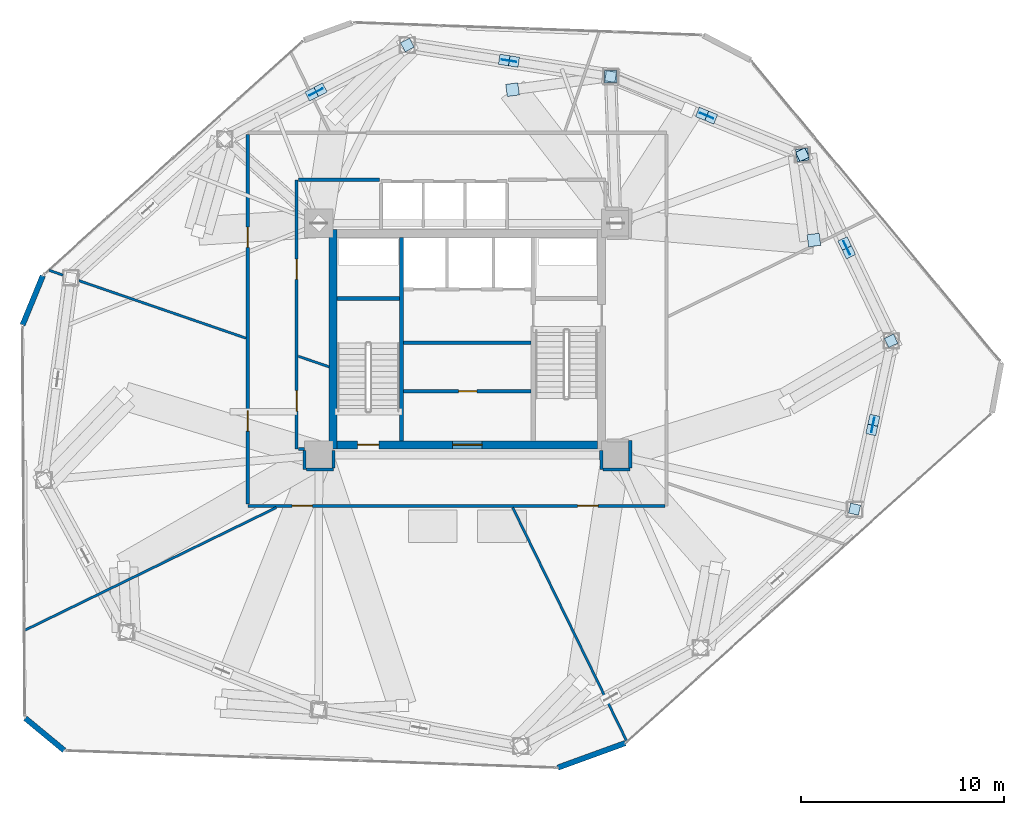
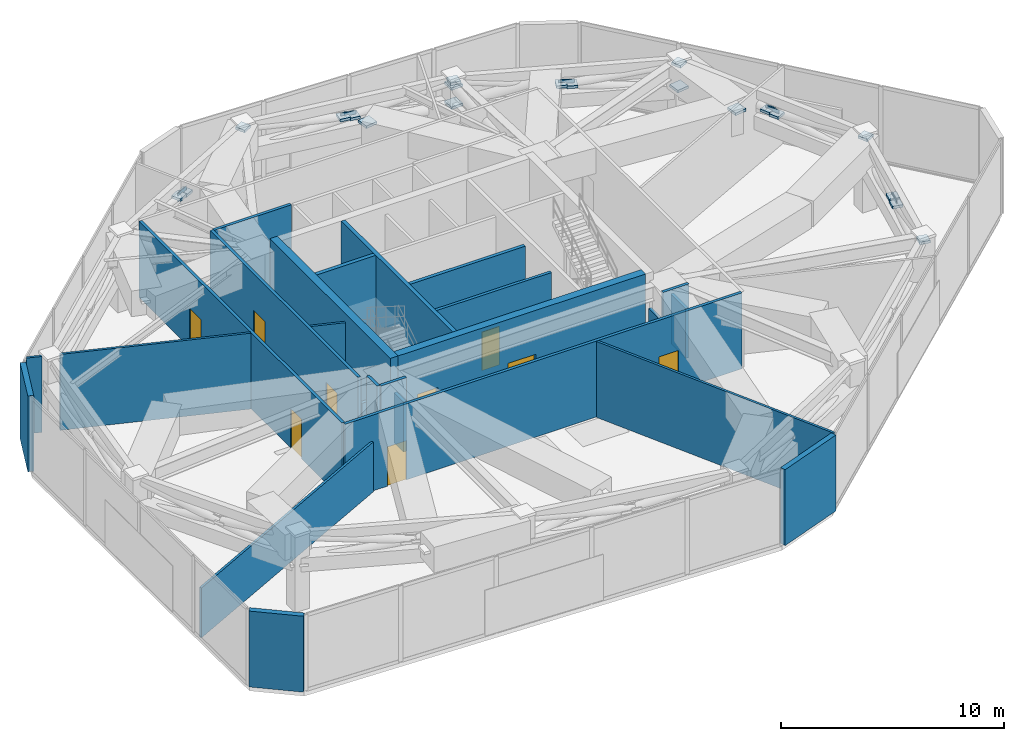
# One storey, part 21 of 25: 25 plates, 25 walls, 9 doors, 9 openings.
"""IFC4 building model written with IfcOpenShell, lengths in metres."""

from ifc_helpers import new_model, si_unit, direction, frame, frame_2d, origin, origin_2d, place, context, subcontext, project, spatial, rectangle, extrude, source, transform, mapped, material, layer, layer_set, type_object, type_shapes, element, fill, save


model = new_model("IFC4")

# Units and contexts
model_context = context("Model", 3, precision=1e-05, world=origin(), true_north=direction((0.0, 1.0)))
body_context = subcontext(model_context, "Body", "Model", "MODEL_VIEW")
ifc_project = project(units=[si_unit("LENGTHUNIT", "METRE"), si_unit("AREAUNIT", "SQUARE_METRE"), si_unit("VOLUMEUNIT", "CUBIC_METRE"), si_unit("PLANEANGLEUNIT", "RADIAN"), si_unit("MASSUNIT", "GRAM", prefix="KILO")], contexts=[model_context])

# Site, building, storey
site_placement = place(None, origin())
site = spatial("IfcSite", under=ifc_project, at=site_placement, CompositionType="ELEMENT")
building_placement = place(site_placement, origin())
building = spatial("IfcBuilding", under=site, at=building_placement, Name="Talar Marvaseh", CompositionType="ELEMENT")
storey_placement = place(building_placement, frame((0.0, 0.0, 84.800048828125)))
storey = spatial("IfcBuildingStorey", under=building, at=storey_placement, Name="L21", CompositionType="ELEMENT", Elevation=84.800048828125)

# Plates
ifc_material_1 = material(Name="Steel S460", Category="steel")
ifc_layer_1 = layer(ifc_material_1, 0.02490234375)
ifc_layer_set_1 = layer_set([ifc_layer_1], Name="Steel S460")
plate_type_1 = type_object("IfcPlateType", Name="Crown Box End Closure Cap Plate 25", PredefinedType="USERDEFINED", material=ifc_layer_set_1)
shared_shape_1 = source(origin(), body_context, "Body", "SweptSolid", [
    extrude(rectangle(XDim=0.5, YDim=0.5, at=origin_2d()), origin(), (0.0, 0.0, 1.0), 0.139892578125),
])
type_shapes(plate_type_1, [shared_shape_1])
for number, where, z_axis, x_axis, name in (
    (1, (46.841064453125, 31.118896484375, 3.77978515625), (0.0, 0.0, 1.0), (0.430511096808, -0.90258528435, 0.0), "L21 Hollow Member End Cap Plate"),
    (2, (44.761474609375, 35.479248046875, 3.0732421875), (0.0, 0.0, 1.0), (-0.430511096808, 0.90258528435, 0.0), "L21 Hollow Member End Cap Plate"),
    (3, (44.556640625, 35.90869140625, 3.13671875), (0.0, 0.0, 1.0), (-0.430511096808, 0.90258528435, 0.0), "L21 Hollow Member End Cap Plate"),
    (4, (42.47705078125, 40.26904296875, 3.77978515625), (0.0, 0.0, 1.0), (-0.430511096808, 0.90258528435, 0.0), "L21 Hollow Member End Cap Plate"),
    (5, (45.0439453125, 22.840087890625, 3.77978515625), (0.0, 0.0, 1.0), (-0.211324796455, -0.977415894286, 0.0), "L21 Hollow Member End Cap Plate"),
    (6, (45.89208984375, 26.747802734375, 3.0673828125), (0.0, 0.0, 1.0), (0.211324796455, 0.977415894286, 0.0), "L21 Hollow Member End Cap Plate"),
    (7, (45.992919921875, 27.211181640625, 3.142578125), (0.0, 0.0, 1.0), (0.211324796455, 0.977415894286, 0.0), "L21 Hollow Member End Cap Plate"),
    (8, (23.047119140625, 45.6669921875, 3.77978515625), (0.0, 0.0, 1.0), (0.888617232655, 0.458649554484, 0.0), "L21 Hollow Member End Cap Plate"),
    (9, (18.76953125, 43.4638671875, 3.0732421875), (0.0, 0.0, 1.0), (-0.888617232655, -0.458649554484, 0.0), "L21 Hollow Member End Cap Plate"),
    (10, (18.346435546875, 43.24609375, 3.13671875), (0.0, 0.0, 1.0), (-0.888617232655, -0.458649554484, 0.0), "L21 Hollow Member End Cap Plate"),
    (11, (33.0458984375, 44.117919921875, 3.77978515625), (0.0, 0.0, 1.0), (0.988228381447, -0.152985836284, 0.0), "L21 Hollow Member End Cap Plate"),
    (12, (28.281494140625, 44.856201171875, 3.0732421875), (0.0, 0.0, 1.0), (-0.988228381447, 0.152985836284, 0.0), "L21 Hollow Member End Cap Plate"),
    (13, (27.811279296875, 44.928955078125, 3.13671875), (0.0, 0.0, 1.0), (-0.988228381447, 0.152985836284, 0.0), "L21 Hollow Member End Cap Plate"),
    (14, (37.981689453125, 42.103515625, 3.07373046875), (0.0, 0.0, 1.0), (-0.92587058481, 0.377840786818, 0.0), "L21 Hollow Member End Cap Plate"),
    (15, (37.541259765625, 42.283447265625, 3.13671875), (0.0, 0.0, 1.0), (-0.92587058481, 0.377840786818, 0.0), "L21 Hollow Member End Cap Plate"),
):
    element("IfcPlate", number, at=place(storey_placement, frame(where, z_axis=z_axis, x_axis=x_axis)), inside=storey, type_object=plate_type_1, Name=name, ObjectType="CAP_PLATE", PredefinedType="USERDEFINED", context=body_context, shape_type="MappedRepresentation", body=[
        mapped(shared_shape_1, transform((0.0, 0.0, 0.0), x_axis=(1.0, 0.0, 0.0), y_axis=(0.0, 1.0, 0.0), z_axis=(0.0, 0.0, 1.0), scale=1.0)),
    ])
ifc_layer_2 = layer(ifc_material_1, 0.030029296875)
ifc_layer_set_2 = layer_set([ifc_layer_2], Name="Steel S460")
plate_type_2 = type_object("IfcPlateType", Name="Heavy Box End Closure Cap Plate 30", PredefinedType="USERDEFINED", material=ifc_layer_set_2)
shared_shape_2 = source(origin(), body_context, "Body", "SweptSolid", [
    extrude(rectangle(XDim=0.60009765625, YDim=0.60009765625, at=origin_2d()), origin(), (0.0, 0.0, 1.0), 0.139892578125),
])
type_shapes(plate_type_2, [shared_shape_2])
for number, where, z_axis, x_axis, name in (
    (16, (33.0458984375, 44.117919921875, 2.52978515625), (0.0, 0.0, 1.0), (-0.034899496703, 0.999390827019, 0.0), "L21 Hollow Member End Cap Plate"),
    (17, (33.0458984375, 44.117919921875, 3.580078125), (0.0, 0.0, 1.0), (-0.034899496703, 0.999390827019, 0.0), "L21 Hollow Member End Cap Plate"),
    (18, (42.47705078125, 40.26904296875, 2.47998046875), (0.0, 0.0, 1.0), (0.133986185418, -0.990983199715, 0.0), "L21 Hollow Member End Cap Plate"),
    (19, (43.0439453125, 36.075927734375, 3.580078125), (0.0, 0.0, 1.0), (0.133986185418, -0.990983199715, 0.0), "L21 Hollow Member End Cap Plate"),
    (20, (28.221923828125, 43.471923828125, 3.580078125), (0.0, 0.0, 1.0), (-0.991215540252, -0.132256390257, 0.0), "L21 Hollow Member End Cap Plate"),
):
    element("IfcPlate", number, at=place(storey_placement, frame(where, z_axis=z_axis, x_axis=x_axis)), inside=storey, type_object=plate_type_2, Name=name, ObjectType="CAP_PLATE", PredefinedType="USERDEFINED", context=body_context, shape_type="MappedRepresentation", body=[
        mapped(shared_shape_2, transform((0.0, 0.0, 0.0), x_axis=(1.0, 0.0, 0.0), y_axis=(0.0, 1.0, 0.0), z_axis=(0.0, 0.0, 1.0), scale=1.0)),
    ])
ifc_layer_3 = layer(ifc_material_1, 0.030029296875)
ifc_layer_set_3 = layer_set([ifc_layer_3], Name="Steel S460")
plate_type_3 = type_object("IfcPlateType", Name="Belt Truss Node Gusset Plate 30", PredefinedType="USERDEFINED", material=ifc_layer_set_3)
shared_shape_3 = source(origin(), body_context, "Body", "SweptSolid", [
    extrude(rectangle(XDim=0.719970703125, YDim=0.030029296875, at=origin_2d()), origin(), (0.0, 0.0, 1.0), 0.47998046875),
])
type_shapes(plate_type_3, [shared_shape_3])
for number, where, z_axis, x_axis, name in (
    (21, (44.658935546875, 35.694091796875, 2.93505859375), (0.0, 0.0, 1.0), (0.430511096808, -0.90258528435, 0.0), "L21 Belt Truss X-Crossing Gusset Plate 1"),
    (22, (45.9423828125, 26.9794921875, 2.93505859375), (0.0, 0.0, 1.0), (-0.211324796455, -0.977415894286, 0.0), "L21 Belt Truss X-Crossing Gusset Plate 2"),
    (23, (18.55810546875, 43.35498046875, 2.93505859375), (0.0, 0.0, 1.0), (0.888617232655, 0.458649554484, 0.0), "L21 Belt Truss X-Crossing Gusset Plate 10"),
    (24, (28.04638671875, 44.892578125, 2.93505859375), (0.0, 0.0, 1.0), (0.988228381447, -0.152985836284, 0.0), "L21 Belt Truss X-Crossing Gusset Plate 11"),
    (25, (37.761474609375, 42.193603515625, 2.93505859375), (0.0, 0.0, 1.0), (0.92587058481, -0.377840786818, 0.0), "L21 Belt Truss X-Crossing Gusset Plate 12"),
):
    element("IfcPlate", number, at=place(storey_placement, frame(where, z_axis=z_axis, x_axis=x_axis)), inside=storey, type_object=plate_type_3, Name=name, ObjectType="GUSSET_PLATE", PredefinedType="USERDEFINED", context=body_context, shape_type="MappedRepresentation", body=[
        mapped(shared_shape_3, transform((0.0, 0.0, 0.0), x_axis=(1.0, 0.0, 0.0), y_axis=(0.0, 1.0, 0.0), z_axis=(0.0, 0.0, 1.0), scale=1.0)),
    ])

# Walls
ifc_material_2 = material(Name="Precast concrete C45/55", Category="concrete")
ifc_layer_4 = layer(ifc_material_2, 0.27001953125)
ifc_layer_set_4 = layer_set([ifc_layer_4], Name="Precast concrete C45/55")
wall_type_1 = type_object("IfcWallType", Name="Chamfered Hexagonal Corner Pier Wall Z1 270", PredefinedType="SOLIDWALL", material=ifc_layer_set_4)
wall_1_placement = place(storey_placement, frame((6.17138671875, 10.9775390625, 0.0), z_axis=(0.0, 0.0, 1.0), x_axis=(-0.770777069691, 0.637104943348, 0.0)))
element("IfcWall", 26, at=wall_1_placement, inside=storey, type_object=wall_type_1, Name="L21 Chamfered Corner Limestone Pier 1", PredefinedType="SOLIDWALL", context=body_context, shape_type="SweptSolid", body=[
    extrude(rectangle(XDim=2.48388671875, YDim=0.27001953125, at=frame_2d((1.241943359375, 0.0))), origin(), (0.0, 0.0, 1.0), 4.14990234375),
])
wall_2_placement = place(storey_placement, frame((4.123046875, 31.89501953125, 0.0), z_axis=(0.0, 0.0, 1.0), x_axis=(0.380646822676, 0.924720496359, 0.0)))
element("IfcWall", 27, at=wall_2_placement, inside=storey, type_object=wall_type_1, Name="L21 Chamfered Corner Limestone Pier 2", PredefinedType="SOLIDWALL", context=body_context, shape_type="SweptSolid", body=[
    extrude(rectangle(XDim=2.623291015625, YDim=0.27001953125, at=frame_2d((1.3115234375, 0.0))), origin(), (0.0, 0.0, 1.0), 4.14990234375),
])
wall_3_placement = place(storey_placement, frame((33.764892578125, 11.3349609375, 0.0), z_axis=(0.0, 0.0, 1.0), x_axis=(-0.939676440204, -0.342064595839, 0.0)))
element("IfcWall", 28, at=wall_3_placement, inside=storey, type_object=wall_type_1, Name="L21 Chamfered Corner Limestone Pier 6", PredefinedType="SOLIDWALL", context=body_context, shape_type="SweptSolid", body=[
    extrude(rectangle(XDim=3.535888671875, YDim=0.27001953125, at=frame_2d((1.76806640625, 0.0))), origin(), (0.0, 0.0, 1.0), 4.14990234375),
])

# Wall, opening, door
ifc_material_3 = material(Name="Gypsum Board Partition Assembly")
ifc_layer_5 = layer(ifc_material_3, 0.155029296875)
ifc_layer_set_5 = layer_set([ifc_layer_5], Name="Gypsum Board Partition Assembly")
wall_type_2 = type_object("IfcWallType", Name="Corridor Fire-Rated Acoustic Partition 155", PredefinedType="PARTITIONING", material=ifc_layer_set_5)
wall_4_placement = place(storey_placement, frame((22.865966796875, 28.639892578125, 0.0), z_axis=(0.0, 0.0, 1.0), x_axis=(1.0, 0.0, 0.0)))
wall_4 = element("IfcWall", 29, at=wall_4_placement, inside=storey, type_object=wall_type_2, Name="L21 Core BOH Partition", PredefinedType="PARTITIONING", context=body_context, shape_type="SweptSolid", body=[
    extrude(rectangle(XDim=6.26806640625, YDim=0.155029296875, at=frame_2d((3.134033203125, 0.0))), origin(), (0.0, 0.0, 1.0), 4.14990234375),
])
opening_1_placement = place(wall_4_placement, frame((2.699951171875, 0.0, 0.0)))
opening_1 = element("IfcOpeningElement", 30, at=opening_1_placement, cuts=wall_4, Name="Opening DR-BOH090", PredefinedType="OPENING", context=body_context, shape_type="SweptSolid", body=[
    extrude(rectangle(XDim=0.89990234375, YDim=2.10009765625, at=frame_2d((0.449951171875, 1.050048828125))), frame((0.0, 0.08740234375, 0.0), z_axis=(0.0, -1.0, 0.0), x_axis=(1.0, 0.0, 0.0)), (0.0, 0.0, 1.0), 0.175048828125),
])
ifc_material_4 = material(Name="Fire-Rated Steel Door Leaf", Category="steel")
door_type_1 = type_object("IfcDoorType", Name="Core Back-of-House Service Door 900x2100", OperationType="NOTDEFINED", PredefinedType="DOOR", material=ifc_material_4)
shared_shape_4 = source(origin(), body_context, "Body", "SweptSolid", [
    extrude(rectangle(XDim=0.89990234375, YDim=2.10009765625, at=frame_2d((0.449951171875, 1.050048828125))), frame((0.0, 0.02490234375, 0.0), z_axis=(0.0, -1.0, 0.0), x_axis=(1.0, 0.0, 0.0)), (0.0, 0.0, 1.0), 0.050048828125),
])
type_shapes(door_type_1, [shared_shape_4])
door_1_placement = place(opening_1_placement, origin())
door_1 = element("IfcDoor", 31, at=door_1_placement, inside=storey, type_object=door_type_1, Name="L21 Store Core Central Archive Door", OperationType="SINGLE_SWING_LEFT", OverallHeight=2.10009765625, OverallWidth=0.89990234375, PredefinedType="DOOR", context=body_context, shape_type="MappedRepresentation", body=[
    mapped(shared_shape_4, transform((0.0, 0.0, 0.0), x_axis=(1.0, 0.0, 0.0), y_axis=(0.0, 1.0, 0.0), z_axis=(0.0, 0.0, 1.0), scale=1.0)),
])
fill(opening_1, door_1)

# Wall, openings, doors
wall_5_placement = place(storey_placement, frame((35.716552734375, 23.0, 0.0), z_axis=(0.0, 0.0, 1.0), x_axis=(-1.0, 0.0, 0.0)))
wall_5 = element("IfcWall", 32, at=wall_5_placement, inside=storey, type_object=wall_type_2, Name="L21 Interior Partition Wall", PredefinedType="PARTITIONING", context=body_context, shape_type="SweptSolid", body=[
    extrude(rectangle(XDim=20.5166015625, YDim=0.155029296875, at=frame_2d((10.25830078125, 0.0))), origin(), (0.0, 0.0, 1.0), 4.14990234375),
])
opening_2_placement = place(wall_5_placement, frame((17.334716796875, 0.0, 0.0)))
opening_2 = element("IfcOpeningElement", 33, at=opening_2_placement, cuts=wall_5, Name="Opening DR-RM100", PredefinedType="OPENING", context=body_context, shape_type="SweptSolid", body=[
    extrude(rectangle(XDim=1.0, YDim=2.14990234375, at=frame_2d((0.5, 1.074951171875))), frame((0.0, 0.08740234375, 0.0), z_axis=(0.0, -1.0, 0.0), x_axis=(1.0, 0.0, 0.0)), (0.0, 0.0, 1.0), 0.175048828125),
])
opening_3_placement = place(wall_5_placement, frame((3.2890625, 0.0, 0.0)))
opening_3 = element("IfcOpeningElement", 34, at=opening_3_placement, cuts=wall_5, Name="Opening DR-RM100", PredefinedType="OPENING", context=body_context, shape_type="SweptSolid", body=[
    extrude(rectangle(XDim=1.0, YDim=2.14990234375, at=frame_2d((0.5, 1.074951171875))), frame((0.0, 0.08740234375, 0.0), z_axis=(0.0, -1.0, 0.0), x_axis=(1.0, 0.0, 0.0)), (0.0, 0.0, 1.0), 0.175048828125),
])
ifc_material_5 = material(Name="Acoustic Engineered Oak Timber", Category="wood")
door_type_2 = type_object("IfcDoorType", Name="Corridor Fire-Rated Gallery Door 1000x2150", OperationType="NOTDEFINED", PredefinedType="DOOR", material=ifc_material_5)
shared_shape_5 = source(origin(), body_context, "Body", "SweptSolid", [
    extrude(rectangle(XDim=1.0, YDim=2.14990234375, at=frame_2d((0.5, 1.074951171875))), frame((0.0, 0.02490234375, 0.0), z_axis=(0.0, -1.0, 0.0), x_axis=(1.0, 0.0, 0.0)), (0.0, 0.0, 1.0), 0.050048828125),
])
type_shapes(door_type_2, [shared_shape_5])
door_2_placement = place(opening_2_placement, origin())
door_2 = element("IfcDoor", 35, at=door_2_placement, inside=storey, type_object=door_type_2, Name="L21 Area of Refuge South Door", OperationType="SINGLE_SWING_LEFT", OverallHeight=2.14990234375, OverallWidth=1.0, PredefinedType="DOOR", context=body_context, shape_type="MappedRepresentation", body=[
    mapped(shared_shape_5, transform((0.0, 0.0, 0.0), x_axis=(1.0, 0.0, 0.0), y_axis=(0.0, 1.0, 0.0), z_axis=(0.0, 0.0, 1.0), scale=1.0)),
])
fill(opening_2, door_2)
door_3_placement = place(opening_3_placement, origin())
door_3 = element("IfcDoor", 36, at=door_3_placement, inside=storey, type_object=door_type_2, Name="L21 Area of Refuge South-East Door", OperationType="SINGLE_SWING_RIGHT", OverallHeight=2.14990234375, OverallWidth=1.0, PredefinedType="DOOR", context=body_context, shape_type="MappedRepresentation", body=[
    mapped(shared_shape_5, transform((0.0, 0.0, 0.0), x_axis=(1.0, 0.0, 0.0), y_axis=(0.0, 1.0, 0.0), z_axis=(0.0, 0.0, 1.0), scale=1.0)),
])
fill(opening_3, door_3)

wall_6_placement = place(storey_placement, frame((15.199951171875, 23.08349609375, 0.0), z_axis=(0.0, 0.0, 1.0), x_axis=(0.0, 1.0, 0.0)))
wall_6 = element("IfcWall", 37, at=wall_6_placement, inside=storey, type_object=wall_type_2, Name="L21 Interior Partition Wall", PredefinedType="PARTITIONING", context=body_context, shape_type="SweptSolid", body=[
    extrude(rectangle(XDim=18.18310546875, YDim=0.155029296875, at=frame_2d((9.091552734375, 0.0))), origin(), (0.0, 0.0, 1.0), 4.14990234375),
])
opening_4_placement = place(wall_6_placement, frame((3.599853515625, 0.0, 0.0)))
opening_4 = element("IfcOpeningElement", 38, at=opening_4_placement, cuts=wall_6, Name="Opening DR-RM100", PredefinedType="OPENING", context=body_context, shape_type="SweptSolid", body=[
    extrude(rectangle(XDim=1.0, YDim=2.14990234375, at=frame_2d((0.5, 1.074951171875))), frame((0.0, 0.08740234375, 0.0), z_axis=(0.0, -1.0, 0.0), x_axis=(1.0, 0.0, 0.0)), (0.0, 0.0, 1.0), 0.175048828125),
])
opening_5_placement = place(wall_6_placement, frame((12.630859375, 0.0, 0.0)))
opening_5 = element("IfcOpeningElement", 39, at=opening_5_placement, cuts=wall_6, Name="Opening DR-RM100", PredefinedType="OPENING", context=body_context, shape_type="SweptSolid", body=[
    extrude(rectangle(XDim=1.0, YDim=2.14990234375, at=frame_2d((0.5, 1.074951171875))), frame((0.0, 0.08740234375, 0.0), z_axis=(0.0, -1.0, 0.0), x_axis=(1.0, 0.0, 0.0)), (0.0, 0.0, 1.0), 0.175048828125),
])
door_4_placement = place(opening_4_placement, origin())
door_4 = element("IfcDoor", 40, at=door_4_placement, inside=storey, type_object=door_type_2, Name="L21 Area of Refuge South-West Door", OperationType="SINGLE_SWING_RIGHT", OverallHeight=2.14990234375, OverallWidth=1.0, PredefinedType="DOOR", context=body_context, shape_type="MappedRepresentation", body=[
    mapped(shared_shape_5, transform((0.0, 0.0, 0.0), x_axis=(1.0, 0.0, 0.0), y_axis=(0.0, 1.0, 0.0), z_axis=(0.0, 0.0, 1.0), scale=1.0)),
])
fill(opening_4, door_4)
door_5_placement = place(opening_5_placement, origin())
door_5 = element("IfcDoor", 41, at=door_5_placement, inside=storey, type_object=door_type_2, Name="L21 Area of Refuge South-West 2 Door", OperationType="SINGLE_SWING_RIGHT", OverallHeight=2.14990234375, OverallWidth=1.0, PredefinedType="DOOR", context=body_context, shape_type="MappedRepresentation", body=[
    mapped(shared_shape_5, transform((0.0, 0.0, 0.0), x_axis=(1.0, 0.0, 0.0), y_axis=(0.0, 1.0, 0.0), z_axis=(0.0, 0.0, 1.0), scale=1.0)),
])
fill(opening_5, door_5)

wall_7_placement = place(storey_placement, frame((17.60009765625, 39.0400390625, 0.0), z_axis=(0.0, 0.0, 1.0), x_axis=(0.0, -1.0, 0.0)))
wall_7 = element("IfcWall", 42, at=wall_7_placement, inside=storey, type_object=wall_type_2, Name="L21 Interior Partition Wall", PredefinedType="PARTITIONING", context=body_context, shape_type="SweptSolid", body=[
    extrude(rectangle(XDim=13.239990234375, YDim=0.155029296875, at=frame_2d((6.6201171875, 0.0))), origin(), (0.0, 0.0, 1.0), 4.14990234375),
])
opening_6_placement = place(wall_7_placement, frame((3.89794921875, 0.0, 0.0)))
opening_6 = element("IfcOpeningElement", 43, at=opening_6_placement, cuts=wall_7, Name="Opening DR-RM100", PredefinedType="OPENING", context=body_context, shape_type="SweptSolid", body=[
    extrude(rectangle(XDim=1.0, YDim=2.14990234375, at=frame_2d((0.5, 1.074951171875))), frame((0.0, 0.08740234375, 0.0), z_axis=(0.0, -1.0, 0.0), x_axis=(1.0, 0.0, 0.0)), (0.0, 0.0, 1.0), 0.175048828125),
])
opening_7_placement = place(wall_7_placement, frame((10.373779296875, 0.0, 0.0)))
opening_7 = element("IfcOpeningElement", 44, at=opening_7_placement, cuts=wall_7, Name="Opening DR-RM100", PredefinedType="OPENING", context=body_context, shape_type="SweptSolid", body=[
    extrude(rectangle(XDim=1.0, YDim=2.14990234375, at=frame_2d((0.5, 1.074951171875))), frame((0.0, 0.08740234375, 0.0), z_axis=(0.0, -1.0, 0.0), x_axis=(1.0, 0.0, 0.0)), (0.0, 0.0, 1.0), 0.175048828125),
])
door_6_placement = place(opening_6_placement, origin())
door_6 = element("IfcDoor", 45, at=door_6_placement, inside=storey, type_object=door_type_2, Name="L21 Area of Refuge West Door", OperationType="SINGLE_SWING_LEFT", OverallHeight=2.14990234375, OverallWidth=1.0, PredefinedType="DOOR", context=body_context, shape_type="MappedRepresentation", body=[
    mapped(shared_shape_5, transform((0.0, 0.0, 0.0), x_axis=(1.0, 0.0, 0.0), y_axis=(0.0, 1.0, 0.0), z_axis=(0.0, 0.0, 1.0), scale=1.0)),
])
fill(opening_6, door_6)
door_7_placement = place(opening_7_placement, origin())
door_7 = element("IfcDoor", 46, at=door_7_placement, inside=storey, type_object=door_type_2, Name="L21 Area of Refuge South 3 Door", OperationType="SINGLE_SWING_LEFT", OverallHeight=2.14990234375, OverallWidth=1.0, PredefinedType="DOOR", context=body_context, shape_type="MappedRepresentation", body=[
    mapped(shared_shape_5, transform((0.0, 0.0, 0.0), x_axis=(1.0, 0.0, 0.0), y_axis=(0.0, 1.0, 0.0), z_axis=(0.0, 0.0, 1.0), scale=1.0)),
])
fill(opening_7, door_7)

# Walls
wall_8_placement = place(storey_placement, frame((21.68994140625, 39.0400390625, 0.0), z_axis=(0.0, 0.0, 1.0), x_axis=(-1.0, 0.0, 0.0)))
element("IfcWall", 47, at=wall_8_placement, inside=storey, type_object=wall_type_2, Name="L21 Interior Partition Wall", PredefinedType="PARTITIONING", context=body_context, shape_type="SweptSolid", body=[
    extrude(rectangle(XDim=4.00634765625, YDim=0.155029296875, at=frame_2d((2.003173828125, 0.0))), origin(), (0.0, 0.0, 1.0), 4.14990234375),
])
wall_9_placement = place(storey_placement, frame((17.68359375, 25.800048828125, 0.0), z_axis=(0.0, 0.0, 1.0), x_axis=(1.0, 0.0, 0.0)))
element("IfcWall", 48, at=wall_9_placement, inside=storey, type_object=wall_type_2, Name="L21 Interior Partition Wall", PredefinedType="PARTITIONING", context=body_context, shape_type="SweptSolid", body=[
    extrude(rectangle(XDim=0.301513671875, YDim=0.155029296875, at=frame_2d((0.15087890625, 0.0))), origin(), (0.0, 0.0, 1.0), 2.724853515625),
])
wall_10_placement = place(storey_placement, frame((17.986083984375, 25.716552734375, 0.0), z_axis=(0.0, 0.0, 1.0), x_axis=(0.014935440835, -0.999888460083, 0.0)))
element("IfcWall", 49, at=wall_10_placement, inside=storey, type_object=wall_type_2, Name="L21 Interior Partition Wall", PredefinedType="PARTITIONING", context=body_context, shape_type="SweptSolid", body=[
    extrude(rectangle(XDim=0.931640625, YDim=0.155029296875, at=frame_2d((0.4658203125, 0.0))), origin(), (0.0, 0.0, 1.0), 4.14990234375),
])
wall_11_placement = place(storey_placement, frame((18.08349609375, 24.78515625, 0.0), z_axis=(0.0, 0.0, 1.0), x_axis=(0.99999830172, 0.001842975123, 0.0)))
element("IfcWall", 50, at=wall_11_placement, inside=storey, type_object=wall_type_2, Name="L21 Interior Partition Wall", PredefinedType="PARTITIONING", context=body_context, shape_type="SweptSolid", body=[
    extrude(rectangle(XDim=1.32470703125, YDim=0.155029296875, at=frame_2d((0.662353515625, 0.0))), origin(), (0.0, 0.0, 1.0), 4.14990234375),
])
wall_12_placement = place(storey_placement, frame((19.408935546875, 24.87109375, 0.0), z_axis=(0.0, 0.0, 1.0), x_axis=(0.007106130977, 0.999974751133, 0.0)))
element("IfcWall", 51, at=wall_12_placement, inside=storey, type_object=wall_type_2, Name="L21 Interior Partition Wall", PredefinedType="PARTITIONING", context=body_context, shape_type="SweptSolid", body=[
    extrude(rectangle(XDim=0.85888671875, YDim=0.155029296875, at=frame_2d((0.429443359375, 0.0))), origin(), (0.0, 0.0, 1.0), 2.724853515625),
])
wall_13_placement = place(storey_placement, frame((32.5849609375, 25.72998046875, 0.0), z_axis=(0.0, 0.0, 1.0), x_axis=(0.007253695172, -0.999973691607, 0.0)))
element("IfcWall", 52, at=wall_13_placement, inside=storey, type_object=wall_type_2, Name="L21 Interior Partition Wall", PredefinedType="PARTITIONING", context=body_context, shape_type="SweptSolid", body=[
    extrude(rectangle(XDim=0.9423828125, YDim=0.155029296875, at=frame_2d((0.47119140625, 0.0))), origin(), (0.0, 0.0, 1.0), 2.724853515625),
])
wall_14_placement = place(storey_placement, frame((32.67529296875, 24.78759765625, 0.0), z_axis=(0.0, 0.0, 1.0), x_axis=(0.999999849328, 0.000548947767, 0.0)))
element("IfcWall", 53, at=wall_14_placement, inside=storey, type_object=wall_type_2, Name="L21 Interior Partition Wall", PredefinedType="PARTITIONING", context=body_context, shape_type="SweptSolid", body=[
    extrude(rectangle(XDim=1.334228515625, YDim=0.155029296875, at=frame_2d((0.6669921875, 0.0))), origin(), (0.0, 0.0, 1.0), 4.14990234375),
])
wall_15_placement = place(storey_placement, frame((34.009521484375, 24.871826171875, 0.0), z_axis=(0.0, 0.0, 1.0), x_axis=(0.001642633301, 0.999998650877, 0.0)))
element("IfcWall", 54, at=wall_15_placement, inside=storey, type_object=wall_type_2, Name="L21 Interior Partition Wall", PredefinedType="PARTITIONING", context=body_context, shape_type="SweptSolid", body=[
    extrude(rectangle(XDim=1.337646484375, YDim=0.155029296875, at=frame_2d((0.6689453125, 0.0))), origin(), (0.0, 0.0, 1.0), 2.724853515625),
])
ifc_layer_6 = layer(ifc_material_3, 0.1201171875)
ifc_layer_set_6 = layer_set([ifc_layer_6], Name="Gypsum Board Partition Assembly")
wall_type_3 = type_object("IfcWallType", Name="Demountable Studio Room Partition 120", PredefinedType="PARTITIONING", material=ifc_layer_set_6)
wall_16_placement = place(storey_placement, frame((16.598876953125, 22.91650390625, 0.0), z_axis=(0.0, 0.0, 1.0), x_axis=(-0.898749176451, -0.438463131665, 0.0)))
element("IfcWall", 55, at=wall_16_placement, inside=storey, type_object=wall_type_3, Name="L21 Interior Partition Wall", PredefinedType="PARTITIONING", context=body_context, shape_type="SweptSolid", body=[
    extrude(rectangle(XDim=13.760498046875, YDim=0.1201171875, at=frame_2d((6.88037109375, 0.0))), origin(), (0.0, 0.0, 1.0), 2.724853515625),
])
wall_17_placement = place(storey_placement, frame((6.889892578125, 34.080078125, 0.0), z_axis=(0.0, 0.0, 1.0), x_axis=(0.945565758606, -0.325431092787, 0.0)))
element("IfcWall", 56, at=wall_17_placement, inside=storey, type_object=wall_type_3, Name="L21 Interior Partition Wall", PredefinedType="PARTITIONING", context=body_context, shape_type="SweptSolid", body=[
    extrude(rectangle(XDim=8.7001953125, YDim=0.1201171875, at=frame_2d((4.35009765625, 0.0))), origin(), (0.0, 0.0, 1.0), 4.14990234375),
])
wall_18_placement = place(storey_placement, frame((5.440673828125, 34.587158203125, 0.0), z_axis=(0.0, 0.0, 1.0), x_axis=(0.942640747493, -0.333808959087, 0.0)))
element("IfcWall", 57, at=wall_18_placement, inside=storey, type_object=wall_type_3, Name="L21 Interior Partition Wall", PredefinedType="PARTITIONING", context=body_context, shape_type="SweptSolid", body=[
    extrude(rectangle(XDim=0.710205078125, YDim=0.1201171875, at=frame_2d((0.35498046875, 0.0))), origin(), (0.0, 0.0, 1.0), 4.14990234375),
])
wall_19_placement = place(storey_placement, frame((28.230712890625, 22.91650390625, 0.0), z_axis=(0.0, 0.0, 1.0), x_axis=(0.438691499882, -0.898637728972, 0.0)))
element("IfcWall", 58, at=wall_19_placement, inside=storey, type_object=wall_type_3, Name="L21 Interior Partition Wall", PredefinedType="PARTITIONING", context=body_context, shape_type="SweptSolid", body=[
    extrude(rectangle(XDim=12.784423828125, YDim=0.1201171875, at=frame_2d((6.39208984375, 0.0))), origin(), (0.0, 0.0, 1.0), 4.14990234375),
])
wall_20_placement = place(storey_placement, frame((19.199951171875, 29.840087890625, 0.0), z_axis=(0.0, 0.0, 1.0), x_axis=(-0.945688062057, 0.325075513201, 0.0)))
element("IfcWall", 59, at=wall_20_placement, inside=storey, type_object=wall_type_3, Name="L21 Interior Partition Wall", PredefinedType="PARTITIONING", context=body_context, shape_type="SweptSolid", body=[
    extrude(rectangle(XDim=1.603515625, YDim=0.1201171875, at=frame_2d((0.8017578125, 0.0))), origin(), (0.0, 0.0, 1.0), 4.14990234375),
])
ifc_layer_7 = layer(ifc_material_2, 0.175048828125)
ifc_layer_set_7 = layer_set([ifc_layer_7], Name="Precast concrete C45/55")
wall_type_4 = type_object("IfcWallType", Name="Fire-Rated Lift Hoistway Enclosure Wall 175", PredefinedType="SOLIDWALL", material=ifc_layer_set_7)
wall_21_placement = place(storey_placement, frame((22.860107421875, 31.02001953125, 0.0), z_axis=(0.0, 0.0, 1.0), x_axis=(1.0, 0.0, 0.0)))
element("IfcWall", 60, at=wall_21_placement, inside=storey, type_object=wall_type_4, Name="L21 Firefighting Lobby South Smoke Wall", PredefinedType="SOLIDWALL", context=body_context, shape_type="SweptSolid", body=[
    extrude(rectangle(XDim=6.27978515625, YDim=0.175048828125, at=frame_2d((3.139892578125, 0.0))), origin(), (0.0, 0.0, 1.0), 4.14990234375),
])
ifc_material_6 = material(Name="Concrete C70/85", Category="concrete")
ifc_layer_8 = layer(ifc_material_6, 0.39990234375)
ifc_layer_set_8 = layer_set([ifc_layer_8], Name="Concrete C70/85")
wall_type_5 = type_object("IfcWallType", Name="Lower Core Reinforced Concrete Shear Wall 400", PredefinedType="SHEAR", material=ifc_layer_set_8)
wall_22_placement = place(storey_placement, frame((19.39990234375, 25.800048828125, 0.0), z_axis=(0.0, 0.0, 1.0), x_axis=(0.0, 1.0, 0.0)))
element("IfcWall", 61, at=wall_22_placement, inside=storey, type_object=wall_type_5, Name="L21 West Core Shear Wall", PredefinedType="SHEAR", context=body_context, shape_type="SweptSolid", body=[
    extrude(rectangle(XDim=10.800048828125, YDim=0.39990234375, at=frame_2d((5.39990234375, 0.0))), origin(), (0.0, 0.0, 1.0), 4.599853515625),
])

# Wall, openings, doors
wall_23_placement = place(storey_placement, frame((32.39990234375, 26.0, 0.0), z_axis=(0.0, 0.0, 1.0), x_axis=(-1.0, 0.0, 0.0)))
wall_23 = element("IfcWall", 62, at=wall_23_placement, inside=storey, type_object=wall_type_5, Name="L21 South Core Shear Wall", PredefinedType="SHEAR", context=body_context, shape_type="SweptSolid", body=[
    extrude(rectangle(XDim=12.7998046875, YDim=0.39990234375, at=frame_2d((6.39990234375, 0.0))), origin(), (0.0, 0.0, 1.0), 4.599853515625),
])
opening_8_placement = place(wall_23_placement, frame((10.75, 0.0, 0.0)))
opening_8 = element("IfcOpeningElement", 63, at=opening_8_placement, cuts=wall_23, Name="Opening DR-ST105", PredefinedType="OPENING", context=body_context, shape_type="SweptSolid", body=[
    extrude(rectangle(XDim=1.050048828125, YDim=2.14990234375, at=frame_2d((0.52490234375, 1.074951171875))), frame((0.0, 0.2099609375, 0.0), z_axis=(0.0, -1.0, 0.0), x_axis=(1.0, 0.0, 0.0)), (0.0, 0.0, 1.0), 0.419921875),
])
opening_9_placement = place(wall_23_placement, frame((5.669921875, 0.0, 0.0)))
opening_9 = element("IfcOpeningElement", 64, at=opening_9_placement, cuts=wall_23, Name="Opening DR-LBY145", PredefinedType="OPENING", context=body_context, shape_type="SweptSolid", body=[
    extrude(rectangle(XDim=1.449951171875, YDim=2.199951171875, at=frame_2d((0.72509765625, 1.10009765625))), frame((0.0, 0.2099609375, 0.0), z_axis=(0.0, -1.0, 0.0), x_axis=(1.0, 0.0, 0.0)), (0.0, 0.0, 1.0), 0.419921875),
])
door_type_3 = type_object("IfcDoorType", Name="Protected Exit Stair Fire Door 1050x2150", OperationType="NOTDEFINED", PredefinedType="DOOR", material=ifc_material_4)
shared_shape_6 = source(origin(), body_context, "Body", "SweptSolid", [
    extrude(rectangle(XDim=1.050048828125, YDim=2.14990234375, at=frame_2d((0.52490234375, 1.074951171875))), frame((0.0, 0.02490234375, 0.0), z_axis=(0.0, -1.0, 0.0), x_axis=(1.0, 0.0, 0.0)), (0.0, 0.0, 1.0), 0.050048828125),
])
type_shapes(door_type_3, [shared_shape_6])
door_8_placement = place(opening_8_placement, origin())
door_8 = element("IfcDoor", 65, at=door_8_placement, inside=storey, type_object=door_type_3, Name="L21 Stair ST-1 Exit Door", OperationType="SINGLE_SWING_RIGHT", OverallHeight=2.14990234375, OverallWidth=1.050048828125, PredefinedType="DOOR", context=body_context, shape_type="MappedRepresentation", body=[
    mapped(shared_shape_6, transform((0.0, 0.0, 0.0), x_axis=(1.0, 0.0, 0.0), y_axis=(0.0, 1.0, 0.0), z_axis=(0.0, 0.0, 1.0), scale=1.0)),
])
fill(opening_8, door_8)
door_type_4 = type_object("IfcDoorType", Name="Core Lift Lobby Double Smoke Door 1450x2200", OperationType="NOTDEFINED", PredefinedType="DOOR", material=ifc_material_4)
shared_shape_7 = source(origin(), body_context, "Body", "SweptSolid", [
    extrude(rectangle(XDim=1.449951171875, YDim=2.199951171875, at=frame_2d((0.72509765625, 1.10009765625))), frame((0.0, 0.02490234375, 0.0), z_axis=(0.0, -1.0, 0.0), x_axis=(1.0, 0.0, 0.0)), (0.0, 0.0, 1.0), 0.050048828125),
])
type_shapes(door_type_4, [shared_shape_7])
door_9_placement = place(opening_9_placement, origin())
door_9 = element("IfcDoor", 66, at=door_9_placement, inside=storey, type_object=door_type_4, Name="L21 Passenger Lift Lobby Entrance Door", OperationType="DOUBLE_DOOR_SINGLE_SWING", OverallHeight=2.199951171875, OverallWidth=1.449951171875, PredefinedType="DOOR", context=body_context, shape_type="MappedRepresentation", body=[
    mapped(shared_shape_7, transform((0.0, 0.0, 0.0), x_axis=(1.0, 0.0, 0.0), y_axis=(0.0, 1.0, 0.0), z_axis=(0.0, 0.0, 1.0), scale=1.0)),
])
fill(opening_9, door_9)

# Walls
ifc_material_7 = material(Name="Concrete C50/60", Category="concrete")
ifc_layer_9 = layer(ifc_material_7, 0.199951171875)
ifc_layer_set_9 = layer_set([ifc_layer_9], Name="Concrete C50/60")
wall_type_6 = type_object("IfcWallType", Name="Stair Shaft Structural Concrete Shear Wall 200", PredefinedType="SHEAR", material=ifc_layer_set_9)
wall_24_placement = place(storey_placement, frame((22.760009765625, 26.199951171875, 0.0), z_axis=(0.0, 0.0, 1.0), x_axis=(0.0, 1.0, 0.0)))
element("IfcWall", 67, at=wall_24_placement, inside=storey, type_object=wall_type_6, Name="L21 Core West Stair Shear Wall", PredefinedType="SHEAR", context=body_context, shape_type="SweptSolid", body=[
    extrude(rectangle(XDim=10.0, YDim=0.199951171875, at=frame_2d((5.0, 0.0))), origin(), (0.0, 0.0, 1.0), 4.599853515625),
])
wall_25_placement = place(storey_placement, frame((19.60009765625, 33.199951171875, 0.0), z_axis=(0.0, 0.0, 1.0), x_axis=(1.0, 0.0, 0.0)))
element("IfcWall", 68, at=wall_25_placement, inside=storey, type_object=wall_type_6, Name="L21 Stair ST-1 North Shear Wall", PredefinedType="SHEAR", context=body_context, shape_type="SweptSolid", body=[
    extrude(rectangle(XDim=3.059814453125, YDim=0.199951171875, at=frame_2d((1.52978515625, 0.0))), origin(), (0.0, 0.0, 1.0), 4.599853515625),
])

save(model, "model.ifc")
